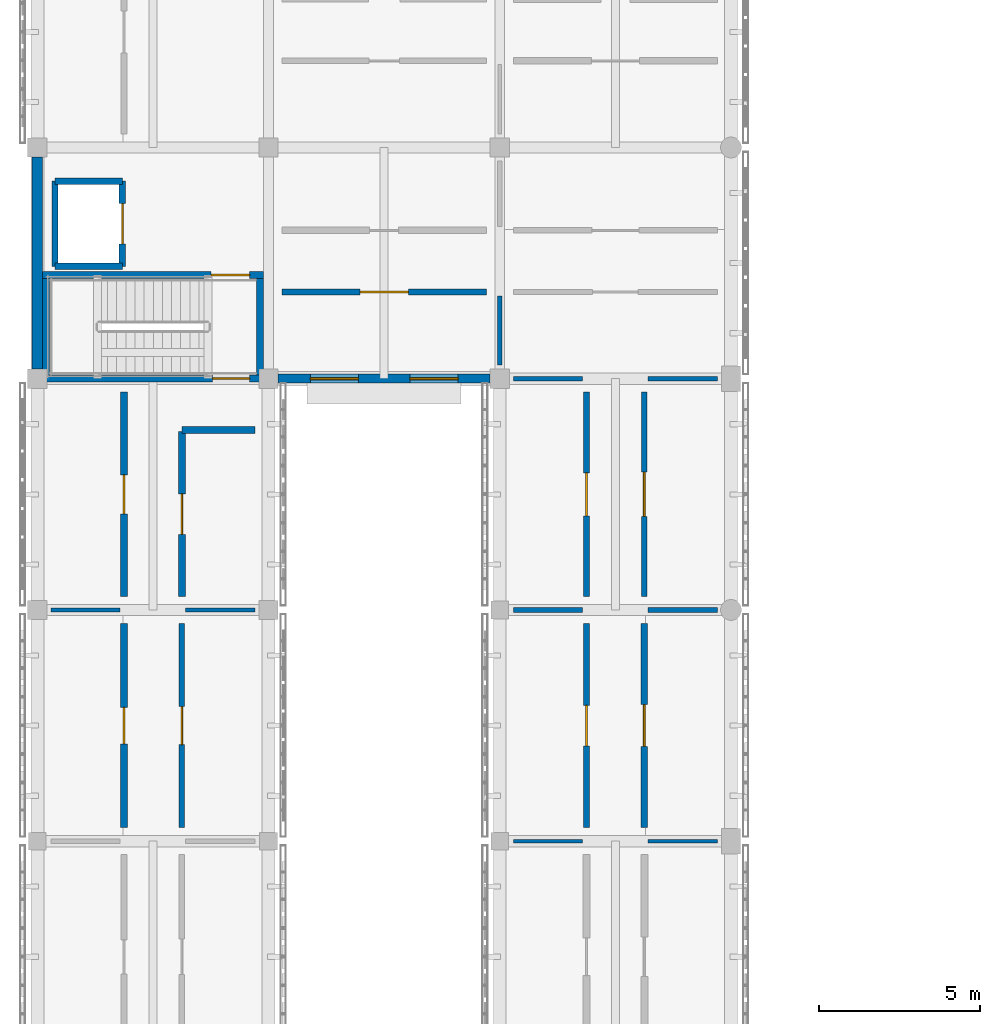
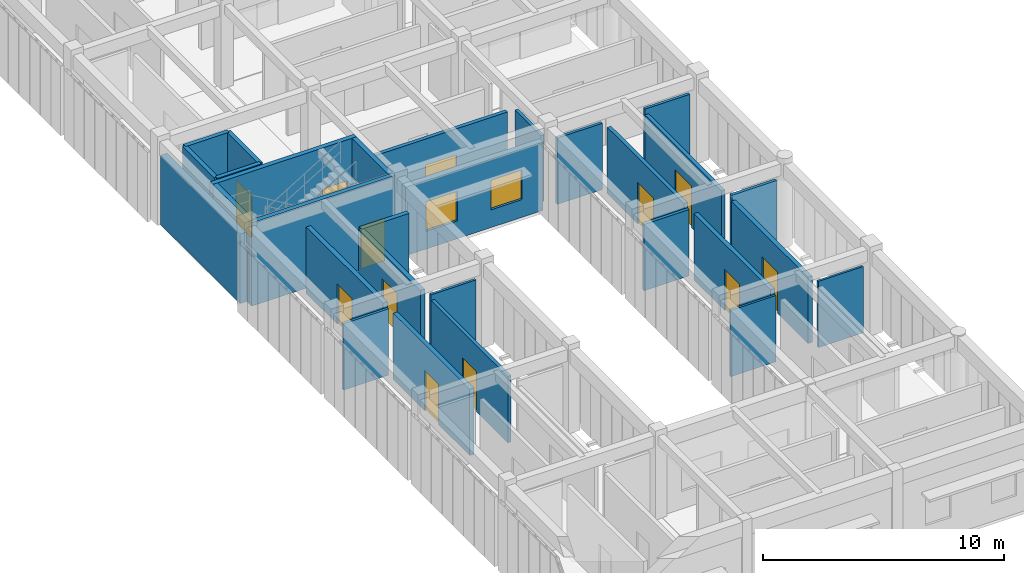
# One storey, part 120 of 171: 29 walls, 12 doors, 2 windows, 14 openings.
"""IFC4 building model written with IfcOpenShell, lengths in metres."""

from ifc_helpers import new_model, si_unit, direction, frame, frame_2d, origin, place, context, subcontext, project, spatial, rectangle, extrude, material, layer, layer_set, type_object, element, fill, save


model = new_model("IFC4")

# Units and contexts
model_context = context("Model", 3, precision=1e-05, world=origin(), true_north=direction((0.0, 1.0)))
body_context = subcontext(model_context, "Body", "Model", "MODEL_VIEW")
ifc_project = project(units=[si_unit("LENGTHUNIT", "METRE"), si_unit("AREAUNIT", "SQUARE_METRE"), si_unit("VOLUMEUNIT", "CUBIC_METRE"), si_unit("PLANEANGLEUNIT", "RADIAN"), si_unit("MASSUNIT", "GRAM", prefix="KILO")], contexts=[model_context])

# Site, building, storey
site_placement = place(None, origin())
site = spatial("IfcSite", under=ifc_project, at=site_placement, CompositionType="ELEMENT")
building_placement = place(site_placement, origin())
building = spatial("IfcBuilding", under=site, at=building_placement, Name="Aldebral Square Health Centre", CompositionType="ELEMENT")
storey_placement = place(building_placement, frame((0.0, 0.0, 4.5)))
storey = spatial("IfcBuildingStorey", under=building, at=storey_placement, Name="L01", CompositionType="ELEMENT", Elevation=4.5)

# Wall, openings, windows
ifc_material_1 = material(Name="Ochre mineral-rendered concrete C35/45 court wall", Category="concrete")
ifc_layer_1 = layer(ifc_material_1, 0.280029296875, Name="Ochre mineral-rendered concrete C35/45 court wall", Category="concrete")
ifc_layer_set_1 = layer_set([ifc_layer_1], Name="Ochre mineral-rendered concrete C35/45 court wall")
wall_type_1 = type_object("IfcWallType", Name="EW-OCH-280", PredefinedType="STANDARD", material=ifc_layer_set_1)
wall_1_placement = place(storey_placement, frame((7.5, 28.800048828125, 0.0), z_axis=(0.0, 0.0, 1.0), x_axis=(1.0, 0.0, 0.0)))
wall_1 = element("IfcWall", 1, at=wall_1_placement, inside=storey, type_object=wall_type_1, Name="L01 V6 exterior wall L01-V6-01-04-S", PredefinedType="STANDARD", context=body_context, shape_type="SweptSolid", body=[
    extrude(rectangle(XDim=6.60009765625, YDim=0.280029296875, at=frame_2d((3.300048828125, 0.0))), origin(), (0.0, 0.0, 1.0), 3.469970703125),
])
opening_1_placement = place(wall_1_placement, frame((1.0, 0.0, 0.89990234375)))
opening_1 = element("IfcOpeningElement", 2, at=opening_1_placement, cuts=wall_1, Name="Opening W23", PredefinedType="OPENING", context=body_context, shape_type="SweptSolid", body=[
    extrude(rectangle(XDim=1.5, YDim=1.5, at=frame_2d((0.75, 0.75))), frame((0.0, 0.14990234375, 0.0), z_axis=(0.0, -1.0, 0.0), x_axis=(1.0, 0.0, 0.0)), (0.0, 0.0, 1.0), 0.300048828125),
])
opening_2_placement = place(wall_1_placement, frame((4.10009765625, 0.0, 0.89990234375)))
opening_2 = element("IfcOpeningElement", 3, at=opening_2_placement, cuts=wall_1, Name="Opening W23", PredefinedType="OPENING", context=body_context, shape_type="SweptSolid", body=[
    extrude(rectangle(XDim=1.5, YDim=1.5, at=frame_2d((0.75, 0.75))), frame((0.0, 0.14990234375, 0.0), z_axis=(0.0, -1.0, 0.0), x_axis=(1.0, 0.0, 0.0)), (0.0, 0.0, 1.0), 0.300048828125),
])
ifc_material_2 = material(Name="Thermally broken aluminium and low-E glass", Category="aluminium")
window_type = type_object("IfcWindowType", Name="WIN-W23", PartitioningType="SINGLE_PANEL", PredefinedType="WINDOW", material=ifc_material_2)
window_1_placement = place(opening_1_placement, origin())
window_1 = element("IfcWindow", 4, at=window_1_placement, inside=storey, type_object=window_type, Name="L01 clinical window L01-V6-01-04-S.1", OverallHeight=1.5, OverallWidth=1.5, PartitioningType="SINGLE_PANEL", PredefinedType="WINDOW", context=body_context, shape_type="SweptSolid", body=[
    extrude(rectangle(XDim=1.5, YDim=1.5, at=frame_2d((0.75, 0.75))), frame((0.0, 0.030029296875, 0.0), z_axis=(0.0, -1.0, 0.0), x_axis=(1.0, 0.0, 0.0)), (0.0, 0.0, 1.0), 0.06005859375),
])
fill(opening_1, window_1)
window_2_placement = place(opening_2_placement, origin())
window_2 = element("IfcWindow", 5, at=window_2_placement, inside=storey, type_object=window_type, Name="L01 clinical window L01-V6-01-04-S.2", OverallHeight=1.5, OverallWidth=1.5, PartitioningType="SINGLE_PANEL", PredefinedType="WINDOW", context=body_context, shape_type="SweptSolid", body=[
    extrude(rectangle(XDim=1.5, YDim=1.5, at=frame_2d((0.75, 0.75))), frame((0.0, 0.030029296875, 0.0), z_axis=(0.0, -1.0, 0.0), x_axis=(1.0, 0.0, 0.0)), (0.0, 0.0, 1.0), 0.06005859375),
])
fill(opening_2, window_2)

# Wall
ifc_material_3 = material(Name="Precast concrete C40/50 insulated panel", Category="concrete")
ifc_layer_2 = layer(ifc_material_3, 0.320068359375, Name="Precast concrete C40/50 insulated panel", Category="concrete")
ifc_layer_set_2 = layer_set([ifc_layer_2], Name="Precast concrete C40/50 insulated panel")
wall_type_2 = type_object("IfcWallType", Name="EW-PRE-320", PredefinedType="STANDARD", material=ifc_layer_set_2)
wall_2_placement = place(storey_placement, frame((0.0, 35.699951171875, 0.0), z_axis=(0.0, 0.0, 1.0), x_axis=(0.0, -1.0, 0.0)))
element("IfcWall", 6, at=wall_2_placement, inside=storey, type_object=wall_type_2, Name="L01 V6 exterior wall L01-V6-00-04-W", PredefinedType="STANDARD", context=body_context, shape_type="SweptSolid", body=[
    extrude(rectangle(XDim=6.599853515625, YDim=0.320068359375, at=frame_2d((3.2998046875, 0.0))), origin(), (0.0, 0.0, 1.0), 3.52001953125),
])

# Wall, opening, door
ifc_material_4 = material(Name="Concrete C35/45 compartment wall", Category="concrete")
ifc_layer_3 = layer(ifc_material_4, 0.199951171875, Name="Concrete C35/45 compartment wall", Category="concrete")
ifc_layer_set_3 = layer_set([ifc_layer_3], Name="Concrete C35/45 compartment wall")
wall_type_3 = type_object("IfcWallType", Name="IW-CMP-200", PredefinedType="SOLIDWALL", material=ifc_layer_set_3)
wall_3_placement = place(storey_placement, frame((17.10009765625, 14.820068359375, 0.0), z_axis=(0.0, 0.0, 1.0), x_axis=(0.0, 1.0, 0.0)))
wall_3 = element("IfcWall", 7, at=wall_3_placement, inside=storey, type_object=wall_type_3, Name="L01 Community Health Library 3.3W corridor wall", PredefinedType="SOLIDWALL", context=body_context, shape_type="SweptSolid", body=[
    extrude(rectangle(XDim=6.35986328125, YDim=0.199951171875, at=frame_2d((3.179931640625, 0.0))), origin(), (0.0, 0.0, 1.0), 3.360107421875),
])
opening_3_placement = place(wall_3_placement, frame((2.550048828125, 0.0, 0.0)))
opening_3 = element("IfcOpeningElement", 8, at=opening_3_placement, cuts=wall_3, Name="Opening D-0385", PredefinedType="OPENING", context=body_context, shape_type="SweptSolid", body=[
    extrude(rectangle(XDim=1.260009765625, YDim=2.090087890625, at=frame_2d((0.6298828125, 1.044921875))), frame((0.0, 0.10986328125, 0.0), z_axis=(0.0, -1.0, 0.0), x_axis=(1.0, 0.0, 0.0)), (0.0, 0.0, 1.0), 0.219970703125),
])
ifc_material_5 = material(Name="Clinical suite fire door")
door_type_1 = type_object("IfcDoorType", Name="ID-EXD-25", OperationType="NOTDEFINED", PredefinedType="DOOR", material=ifc_material_5)
door_1_placement = place(opening_3_placement, origin())
door_1 = element("IfcDoor", 9, at=door_1_placement, inside=storey, type_object=door_type_1, Name="L01 Community Health Library 3.3W door", OperationType="SINGLE_SWING_RIGHT", OverallHeight=2.090087890625, OverallWidth=1.260009765625, PredefinedType="DOOR", context=body_context, shape_type="SweptSolid", body=[
    extrude(rectangle(XDim=1.260009765625, YDim=2.090087890625, at=frame_2d((0.6298828125, 1.044921875))), frame((0.0, 0.02490234375, 0.0), z_axis=(0.0, -1.0, 0.0), x_axis=(1.0, 0.0, 0.0)), (0.0, 0.0, 1.0), 0.050048828125),
])
fill(opening_3, door_1)

ifc_layer_4 = layer(ifc_material_4, 0.219970703125, Name="Concrete C35/45 compartment wall", Category="concrete")
ifc_layer_set_4 = layer_set([ifc_layer_4], Name="Concrete C35/45 compartment wall")
wall_type_4 = type_object("IfcWallType", Name="IW-CMP-220", PredefinedType="SOLIDWALL", material=ifc_layer_set_4)
wall_4_placement = place(storey_placement, frame((2.699951171875, 22.02001953125, 0.0), z_axis=(0.0, 0.0, 1.0), x_axis=(0.0, 1.0, 0.0)))
wall_4 = element("IfcWall", 10, at=wall_4_placement, inside=storey, type_object=wall_type_4, Name="L01 Health Education Seminar 1.4W corridor wall", PredefinedType="SOLIDWALL", context=body_context, shape_type="SweptSolid", body=[
    extrude(rectangle(XDim=6.35986328125, YDim=0.219970703125, at=frame_2d((3.179931640625, 0.0))), origin(), (0.0, 0.0, 1.0), 3.360107421875),
])
opening_4_placement = place(wall_4_placement, frame((2.570068359375, 0.0, 0.0)))
opening_4 = element("IfcOpeningElement", 11, at=opening_4_placement, cuts=wall_4, Name="Opening D-0368", PredefinedType="OPENING", context=body_context, shape_type="SweptSolid", body=[
    extrude(rectangle(XDim=1.219970703125, YDim=2.0400390625, at=frame_2d((0.60986328125, 1.02001953125))), frame((0.0, 0.1201171875, 0.0), z_axis=(0.0, -1.0, 0.0), x_axis=(1.0, 0.0, 0.0)), (0.0, 0.0, 1.0), 0.239990234375),
])
door_type_2 = type_object("IfcDoorType", Name="ID-EXD-08", OperationType="NOTDEFINED", PredefinedType="DOOR", material=ifc_material_5)
door_2_placement = place(opening_4_placement, origin())
door_2 = element("IfcDoor", 12, at=door_2_placement, inside=storey, type_object=door_type_2, Name="L01 Health Education Seminar 1.4W door", OperationType="SINGLE_SWING_LEFT", OverallHeight=2.0400390625, OverallWidth=1.219970703125, PredefinedType="DOOR", context=body_context, shape_type="SweptSolid", body=[
    extrude(rectangle(XDim=1.219970703125, YDim=2.0400390625, at=frame_2d((0.60986328125, 1.02001953125))), frame((0.0, 0.02490234375, 0.0), z_axis=(0.0, -1.0, 0.0), x_axis=(1.0, 0.0, 0.0)), (0.0, 0.0, 1.0), 0.050048828125),
])
fill(opening_4, door_2)

wall_5_placement = place(storey_placement, frame((4.5, 22.02001953125, 0.0), z_axis=(0.0, 0.0, 1.0), x_axis=(0.0, 1.0, 0.0)))
wall_5 = element("IfcWall", 13, at=wall_5_placement, inside=storey, type_object=wall_type_4, Name="L01 Nutrition Studio 1.4E corridor wall", PredefinedType="SOLIDWALL", context=body_context, shape_type="SweptSolid", body=[
    extrude(rectangle(XDim=5.1298828125, YDim=0.219970703125, at=frame_2d((2.56494140625, 0.0))), origin(), (0.0, 0.0, 1.0), 3.360107421875),
])
opening_5_placement = place(wall_5_placement, frame((1.93505859375, 0.0, 0.0)))
opening_5 = element("IfcOpeningElement", 14, at=opening_5_placement, cuts=wall_5, Name="Opening D-0369", PredefinedType="OPENING", context=body_context, shape_type="SweptSolid", body=[
    extrude(rectangle(XDim=1.260009765625, YDim=2.0400390625, at=frame_2d((0.6298828125, 1.02001953125))), frame((0.0, 0.1201171875, 0.0), z_axis=(0.0, -1.0, 0.0), x_axis=(1.0, 0.0, 0.0)), (0.0, 0.0, 1.0), 0.239990234375),
])
door_type_3 = type_object("IfcDoorType", Name="ID-EXD-09", OperationType="NOTDEFINED", PredefinedType="DOOR", material=ifc_material_5)
door_3_placement = place(opening_5_placement, origin())
door_3 = element("IfcDoor", 15, at=door_3_placement, inside=storey, type_object=door_type_3, Name="L01 Nutrition Studio 1.4E door", OperationType="SINGLE_SWING_RIGHT", OverallHeight=2.0400390625, OverallWidth=1.260009765625, PredefinedType="DOOR", context=body_context, shape_type="SweptSolid", body=[
    extrude(rectangle(XDim=1.260009765625, YDim=2.0400390625, at=frame_2d((0.6298828125, 1.02001953125))), frame((0.0, 0.02490234375, 0.0), z_axis=(0.0, -1.0, 0.0), x_axis=(1.0, 0.0, 0.0)), (0.0, 0.0, 1.0), 0.050048828125),
])
fill(opening_5, door_3)

ifc_material_6 = material(Name="Fire-rated acoustic gypsum partition")
ifc_layer_5 = layer(ifc_material_6, 0.1650390625, Name="Fire-rated acoustic gypsum partition")
ifc_layer_set_5 = layer_set([ifc_layer_5], Name="Fire-rated acoustic gypsum partition")
wall_type_5 = type_object("IfcWallType", Name="IW-COR-165", PredefinedType="PARTITIONING", material=ifc_layer_set_5)
wall_6_placement = place(storey_placement, frame((4.5, 14.820068359375, 0.0), z_axis=(0.0, 0.0, 1.0), x_axis=(0.0, 1.0, 0.0)))
wall_6 = element("IfcWall", 16, at=wall_6_placement, inside=storey, type_object=wall_type_5, Name="L01 Community Room 1.3E corridor wall", PredefinedType="PARTITIONING", context=body_context, shape_type="SweptSolid", body=[
    extrude(rectangle(XDim=6.35986328125, YDim=0.1650390625, at=frame_2d((3.179931640625, 0.0))), origin(), (0.0, 0.0, 1.0), 3.360107421875),
])
opening_6_placement = place(wall_6_placement, frame((2.590087890625, 0.0, 0.0)))
opening_6 = element("IfcOpeningElement", 17, at=opening_6_placement, cuts=wall_6, Name="Opening D-0367", PredefinedType="OPENING", context=body_context, shape_type="SweptSolid", body=[
    extrude(rectangle(XDim=1.179931640625, YDim=2.0400390625, at=frame_2d((0.58984375, 1.02001953125))), frame((0.0, 0.092529296875, 0.0), z_axis=(0.0, -1.0, 0.0), x_axis=(1.0, 0.0, 0.0)), (0.0, 0.0, 1.0), 0.18505859375),
])
door_type_4 = type_object("IfcDoorType", Name="ID-EXD-07", OperationType="NOTDEFINED", PredefinedType="DOOR", material=ifc_material_5)
door_4_placement = place(opening_6_placement, origin())
door_4 = element("IfcDoor", 18, at=door_4_placement, inside=storey, type_object=door_type_4, Name="L01 Community Room 1.3E door", OperationType="SINGLE_SWING_RIGHT", OverallHeight=2.0400390625, OverallWidth=1.179931640625, PredefinedType="DOOR", context=body_context, shape_type="SweptSolid", body=[
    extrude(rectangle(XDim=1.179931640625, YDim=2.0400390625, at=frame_2d((0.58984375, 1.02001953125))), frame((0.0, 0.02490234375, 0.0), z_axis=(0.0, -1.0, 0.0), x_axis=(1.0, 0.0, 0.0)), (0.0, 0.0, 1.0), 0.050048828125),
])
fill(opening_6, door_4)

ifc_layer_6 = layer(ifc_material_6, 0.179931640625, Name="Fire-rated acoustic gypsum partition")
ifc_layer_set_6 = layer_set([ifc_layer_6], Name="Fire-rated acoustic gypsum partition")
wall_type_6 = type_object("IfcWallType", Name="IW-COR-180", PredefinedType="PARTITIONING", material=ifc_layer_set_6)
wall_7_placement = place(storey_placement, frame((7.6201171875, 31.5, 0.0), z_axis=(0.0, 0.0, 1.0), x_axis=(1.0, 0.0, 0.0)))
wall_7 = element("IfcWall", 19, at=wall_7_placement, inside=storey, type_object=wall_type_6, Name="L01 Community Health Library 2.5S corridor wall", PredefinedType="PARTITIONING", context=body_context, shape_type="SweptSolid", body=[
    extrude(rectangle(XDim=6.35986328125, YDim=0.179931640625, at=frame_2d((3.179931640625, 0.0))), origin(), (0.0, 0.0, 1.0), 3.360107421875),
])
opening_7_placement = place(wall_7_placement, frame((2.429931640625, 0.0, 0.0)))
opening_7 = element("IfcOpeningElement", 20, at=opening_7_placement, cuts=wall_7, Name="Opening D-0375", PredefinedType="OPENING", context=body_context, shape_type="SweptSolid", body=[
    extrude(rectangle(XDim=1.5, YDim=2.0400390625, at=frame_2d((0.75, 1.02001953125))), frame((0.0, 0.10009765625, 0.0), z_axis=(0.0, -1.0, 0.0), x_axis=(1.0, 0.0, 0.0)), (0.0, 0.0, 1.0), 0.199951171875),
])
door_type_5 = type_object("IfcDoorType", Name="ID-EXD-15", OperationType="NOTDEFINED", PredefinedType="DOOR", material=ifc_material_5)
door_5_placement = place(opening_7_placement, origin())
door_5 = element("IfcDoor", 21, at=door_5_placement, inside=storey, type_object=door_type_5, Name="L01 Community Health Library 2.5S door", OperationType="SINGLE_SWING_RIGHT", OverallHeight=2.0400390625, OverallWidth=1.5, PredefinedType="DOOR", context=body_context, shape_type="SweptSolid", body=[
    extrude(rectangle(XDim=1.5, YDim=2.0400390625, at=frame_2d((0.75, 1.02001953125))), frame((0.0, 0.02490234375, 0.0), z_axis=(0.0, -1.0, 0.0), x_axis=(1.0, 0.0, 0.0)), (0.0, 0.0, 1.0), 0.050048828125),
])
fill(opening_7, door_5)

wall_8_placement = place(storey_placement, frame((17.10009765625, 22.02001953125, 0.0), z_axis=(0.0, 0.0, 1.0), x_axis=(0.0, 1.0, 0.0)))
wall_8 = element("IfcWall", 22, at=wall_8_placement, inside=storey, type_object=wall_type_6, Name="L01 Community Room 3.4W corridor wall", PredefinedType="PARTITIONING", context=body_context, shape_type="SweptSolid", body=[
    extrude(rectangle(XDim=6.35986328125, YDim=0.179931640625, at=frame_2d((3.179931640625, 0.0))), origin(), (0.0, 0.0, 1.0), 3.360107421875),
])
opening_8_placement = place(wall_8_placement, frame((2.510009765625, 0.0, 0.0)))
opening_8 = element("IfcOpeningElement", 23, at=opening_8_placement, cuts=wall_8, Name="Opening D-0387", PredefinedType="OPENING", context=body_context, shape_type="SweptSolid", body=[
    extrude(rectangle(XDim=1.340087890625, YDim=2.090087890625, at=frame_2d((0.669921875, 1.044921875))), frame((0.0, 0.10009765625, 0.0), z_axis=(0.0, -1.0, 0.0), x_axis=(1.0, 0.0, 0.0)), (0.0, 0.0, 1.0), 0.199951171875),
])
door_type_6 = type_object("IfcDoorType", Name="ID-EXD-27", OperationType="NOTDEFINED", PredefinedType="DOOR", material=ifc_material_5)
door_6_placement = place(opening_8_placement, origin())
door_6 = element("IfcDoor", 24, at=door_6_placement, inside=storey, type_object=door_type_6, Name="L01 Community Room 3.4W door", OperationType="SINGLE_SWING_RIGHT", OverallHeight=2.090087890625, OverallWidth=1.340087890625, PredefinedType="DOOR", context=body_context, shape_type="SweptSolid", body=[
    extrude(rectangle(XDim=1.340087890625, YDim=2.090087890625, at=frame_2d((0.669921875, 1.044921875))), frame((0.0, 0.02490234375, 0.0), z_axis=(0.0, -1.0, 0.0), x_axis=(1.0, 0.0, 0.0)), (0.0, 0.0, 1.0), 0.050048828125),
])
fill(opening_8, door_6)

wall_9_placement = place(storey_placement, frame((18.89990234375, 22.02001953125, 0.0), z_axis=(0.0, 0.0, 1.0), x_axis=(0.0, 1.0, 0.0)))
wall_9 = element("IfcWall", 25, at=wall_9_placement, inside=storey, type_object=wall_type_6, Name="L01 Health Education Seminar 3.4E corridor wall", PredefinedType="PARTITIONING", context=body_context, shape_type="SweptSolid", body=[
    extrude(rectangle(XDim=6.35986328125, YDim=0.179931640625, at=frame_2d((3.179931640625, 0.0))), origin(), (0.0, 0.0, 1.0), 3.360107421875),
])
opening_9_placement = place(wall_9_placement, frame((2.489990234375, 0.0, 0.0)))
opening_9 = element("IfcOpeningElement", 26, at=opening_9_placement, cuts=wall_9, Name="Opening D-0388", PredefinedType="OPENING", context=body_context, shape_type="SweptSolid", body=[
    extrude(rectangle(XDim=1.3798828125, YDim=2.090087890625, at=frame_2d((0.68994140625, 1.044921875))), frame((0.0, 0.10009765625, 0.0), z_axis=(0.0, -1.0, 0.0), x_axis=(1.0, 0.0, 0.0)), (0.0, 0.0, 1.0), 0.199951171875),
])
door_type_7 = type_object("IfcDoorType", Name="ID-EXD-28", OperationType="NOTDEFINED", PredefinedType="DOOR", material=ifc_material_5)
door_7_placement = place(opening_9_placement, origin())
door_7 = element("IfcDoor", 27, at=door_7_placement, inside=storey, type_object=door_type_7, Name="L01 Health Education Seminar 3.4E door", OperationType="SINGLE_SWING_LEFT", OverallHeight=2.090087890625, OverallWidth=1.3798828125, PredefinedType="DOOR", context=body_context, shape_type="SweptSolid", body=[
    extrude(rectangle(XDim=1.3798828125, YDim=2.090087890625, at=frame_2d((0.68994140625, 1.044921875))), frame((0.0, 0.02490234375, 0.0), z_axis=(0.0, -1.0, 0.0), x_axis=(1.0, 0.0, 0.0)), (0.0, 0.0, 1.0), 0.050048828125),
])
fill(opening_9, door_7)

ifc_material_7 = material(Name="Concrete C40/50", Category="concrete")
ifc_layer_7 = layer(ifc_material_7, 0.219970703125, Name="Concrete C40/50", Category="concrete")
ifc_layer_set_7 = layer_set([ifc_layer_7], Name="Concrete C40/50")
wall_type_7 = type_object("IfcWallType", Name="IW-CORE-280", PredefinedType="SHEAR", material=ifc_layer_set_7)
wall_10_placement = place(storey_placement, frame((0.159912109375, 28.81005859375, 0.0), z_axis=(0.0, 0.0, 1.0), x_axis=(1.0, 0.0, 0.0)))
wall_10 = element("IfcWall", 28, at=wall_10_placement, inside=storey, type_object=wall_type_7, Name="L01 WC-C5 shaft wall S", PredefinedType="SHEAR", context=body_context, shape_type="SweptSolid", body=[
    extrude(rectangle(XDim=6.880126953125, YDim=0.219970703125, at=frame_2d((3.43994140625, 0.0))), origin(), (0.0, 0.0, 1.0), 4.219970703125),
])
opening_10_placement = place(wall_10_placement, frame((5.300048828125, 0.0, 0.0)))
opening_10 = element("IfcOpeningElement", 29, at=opening_10_placement, cuts=wall_10, Name="Opening D-0057", PredefinedType="OPENING", context=body_context, shape_type="SweptSolid", body=[
    extrude(rectangle(XDim=1.14990234375, YDim=2.14990234375, at=frame_2d((0.574951171875, 1.074951171875))), frame((0.0, 0.1201171875, 0.0), z_axis=(0.0, -1.0, 0.0), x_axis=(1.0, 0.0, 0.0)), (0.0, 0.0, 1.0), 0.239990234375),
])
ifc_material_8 = material(Name="Fire-rated steel lobby stair door", Category="steel")
door_type_8 = type_object("IfcDoorType", Name="ID-ST-115", OperationType="NOTDEFINED", PredefinedType="DOOR", material=ifc_material_8)
door_8_placement = place(opening_10_placement, origin())
door_8 = element("IfcDoor", 30, at=door_8_placement, inside=storey, type_object=door_type_8, Name="L01 ST-05 south lobby fire door", OperationType="SINGLE_SWING_LEFT", OverallHeight=2.14990234375, OverallWidth=1.14990234375, PredefinedType="DOOR", context=body_context, shape_type="SweptSolid", body=[
    extrude(rectangle(XDim=1.14990234375, YDim=2.14990234375, at=frame_2d((0.574951171875, 1.074951171875))), frame((0.0, 0.02490234375, 0.0), z_axis=(0.0, -1.0, 0.0), x_axis=(1.0, 0.0, 0.0)), (0.0, 0.0, 1.0), 0.050048828125),
])
fill(opening_10, door_8)

wall_11_placement = place(storey_placement, frame((0.159912109375, 32.030029296875, 0.0), z_axis=(0.0, 0.0, 1.0), x_axis=(1.0, 0.0, 0.0)))
wall_11 = element("IfcWall", 31, at=wall_11_placement, inside=storey, type_object=wall_type_7, Name="L01 WC-C5 shaft wall N", PredefinedType="SHEAR", context=body_context, shape_type="SweptSolid", body=[
    extrude(rectangle(XDim=6.880126953125, YDim=0.219970703125, at=frame_2d((3.43994140625, 0.0))), origin(), (0.0, 0.0, 1.0), 4.219970703125),
])
opening_11_placement = place(wall_11_placement, frame((5.25, 0.0, 0.0)))
opening_11 = element("IfcOpeningElement", 32, at=opening_11_placement, cuts=wall_11, Name="Opening D-0056", PredefinedType="OPENING", context=body_context, shape_type="SweptSolid", body=[
    extrude(rectangle(XDim=1.199951171875, YDim=2.14990234375, at=frame_2d((0.60009765625, 1.074951171875))), frame((0.0, 0.1201171875, 0.0), z_axis=(0.0, -1.0, 0.0), x_axis=(1.0, 0.0, 0.0)), (0.0, 0.0, 1.0), 0.239990234375),
])
ifc_material_9 = material(Name="Fire-rated steel stair door", Category="steel")
door_type_9 = type_object("IfcDoorType", Name="ID-ST-120", OperationType="NOTDEFINED", PredefinedType="DOOR", material=ifc_material_9)
door_9_placement = place(opening_11_placement, origin())
door_9 = element("IfcDoor", 33, at=door_9_placement, inside=storey, type_object=door_type_9, Name="L01 ST-05 fire door", OperationType="SINGLE_SWING_LEFT", OverallHeight=2.14990234375, OverallWidth=1.199951171875, PredefinedType="DOOR", context=body_context, shape_type="SweptSolid", body=[
    extrude(rectangle(XDim=1.199951171875, YDim=2.14990234375, at=frame_2d((0.60009765625, 1.074951171875))), frame((0.0, 0.02490234375, 0.0), z_axis=(0.0, -1.0, 0.0), x_axis=(1.0, 0.0, 0.0)), (0.0, 0.0, 1.0), 0.050048828125),
])
fill(opening_11, door_9)

# Walls
for number, where, z_axis, x_axis, name in (
    (34, (0.27001953125, 28.919921875, 0.0), (0.0, 0.0, 1.0), (0.0, 1.0, 0.0), "L01 WC-C5 shaft wall W"),
    (35, (6.929931640625, 28.919921875, 0.0), (0.0, 0.0, 1.0), (0.0, 1.0, 0.0), "L01 WC-C5 shaft wall E"),
):
    element("IfcWall", number, at=place(storey_placement, frame(where, z_axis=z_axis, x_axis=x_axis)), inside=storey, type_object=wall_type_7, Name=name, PredefinedType="SHEAR", context=body_context, shape_type="SweptSolid", body=[
        extrude(rectangle(XDim=3.0, YDim=0.219970703125, at=frame_2d((1.5, 0.0))), origin(), (0.0, 0.0, 1.0), 4.219970703125),
    ])
ifc_layer_8 = layer(ifc_material_7, 0.199951171875, Name="Concrete C40/50", Category="concrete")
ifc_layer_set_8 = layer_set([ifc_layer_8], Name="Concrete C40/50")
wall_type_8 = type_object("IfcWallType", Name="IW-LFT-250", PredefinedType="SHEAR", material=ifc_layer_set_8)
wall_12_placement = place(storey_placement, frame((0.550048828125, 32.300048828125, 0.0), z_axis=(0.0, 0.0, 1.0), x_axis=(1.0, 0.0, 0.0)))
element("IfcWall", 36, at=wall_12_placement, inside=storey, type_object=wall_type_8, Name="L01 LF-05 shaft wall S", PredefinedType="SHEAR", context=body_context, shape_type="SweptSolid", body=[
    extrude(rectangle(XDim=2.099853515625, YDim=0.199951171875, at=frame_2d((1.0498046875, 0.0))), origin(), (0.0, 0.0, 1.0), 4.219970703125),
])
wall_13_placement = place(storey_placement, frame((0.550048828125, 32.300048828125, 0.0), z_axis=(0.0, 0.0, 1.0), x_axis=(0.0, 1.0, 0.0)))
element("IfcWall", 37, at=wall_13_placement, inside=storey, type_object=wall_type_8, Name="L01 LF-05 shaft wall W", PredefinedType="SHEAR", context=body_context, shape_type="SweptSolid", body=[
    extrude(rectangle(XDim=2.64990234375, YDim=0.199951171875, at=frame_2d((1.324951171875, 0.0))), origin(), (0.0, 0.0, 1.0), 4.219970703125),
])
wall_14_placement = place(storey_placement, frame((0.550048828125, 34.949951171875, 0.0), z_axis=(0.0, 0.0, 1.0), x_axis=(1.0, 0.0, 0.0)))
element("IfcWall", 38, at=wall_14_placement, inside=storey, type_object=wall_type_8, Name="L01 LF-05 shaft wall N", PredefinedType="SHEAR", context=body_context, shape_type="SweptSolid", body=[
    extrude(rectangle(XDim=2.099853515625, YDim=0.199951171875, at=frame_2d((1.0498046875, 0.0))), origin(), (0.0, 0.0, 1.0), 4.219970703125),
])

# Wall, opening, door
wall_15_placement = place(storey_placement, frame((2.64990234375, 32.300048828125, 0.0), z_axis=(0.0, 0.0, 1.0), x_axis=(0.0, 1.0, 0.0)))
wall_15 = element("IfcWall", 39, at=wall_15_placement, inside=storey, type_object=wall_type_8, Name="L01 LF-05 landing wall", PredefinedType="SHEAR", context=body_context, shape_type="SweptSolid", body=[
    extrude(rectangle(XDim=2.64990234375, YDim=0.199951171875, at=frame_2d((1.324951171875, 0.0))), origin(), (0.0, 0.0, 1.0), 4.219970703125),
])
opening_12_placement = place(wall_15_placement, frame((0.699951171875, 0.0, 0.0)))
opening_12 = element("IfcOpeningElement", 40, at=opening_12_placement, cuts=wall_15, Name="Opening D-0058", PredefinedType="OPENING", context=body_context, shape_type="SweptSolid", body=[
    extrude(rectangle(XDim=1.25, YDim=2.14990234375, at=frame_2d((0.625, 1.074951171875))), frame((0.0, 0.10986328125, 0.0), z_axis=(0.0, -1.0, 0.0), x_axis=(1.0, 0.0, 0.0)), (0.0, 0.0, 1.0), 0.219970703125),
])
ifc_material_10 = material(Name="Stainless steel surgical lift landing door", Category="steel")
door_type_10 = type_object("IfcDoorType", Name="ID-LD-125", OperationType="SLIDING_TO_LEFT", PredefinedType="DOOR", material=ifc_material_10)
door_10_placement = place(opening_12_placement, origin())
door_10 = element("IfcDoor", 41, at=door_10_placement, inside=storey, type_object=door_type_10, Name="L01 LF-05 sliding landing door", OperationType="SLIDING_TO_LEFT", OverallHeight=2.14990234375, OverallWidth=1.25, PredefinedType="DOOR", context=body_context, shape_type="SweptSolid", body=[
    extrude(rectangle(XDim=1.25, YDim=2.14990234375, at=frame_2d((0.625, 1.074951171875))), frame((0.0, 0.02490234375, 0.0), z_axis=(0.0, -1.0, 0.0), x_axis=(1.0, 0.0, 0.0)), (0.0, 0.0, 1.0), 0.050048828125),
])
fill(opening_12, door_10)

ifc_material_11 = material(Name="Moisture-resistant sanitary chase wall")
ifc_layer_9 = layer(ifc_material_11, 0.2099609375, Name="Moisture-resistant sanitary chase wall")
ifc_layer_set_9 = layer_set([ifc_layer_9], Name="Moisture-resistant sanitary chase wall")
wall_type_9 = type_object("IfcWallType", Name="IW-PLB-210", PredefinedType="PLUMBINGWALL", material=ifc_layer_set_9)
wall_16_placement = place(storey_placement, frame((2.699951171875, 14.820068359375, 0.0), z_axis=(0.0, 0.0, 1.0), x_axis=(0.0, 1.0, 0.0)))
wall_16 = element("IfcWall", 42, at=wall_16_placement, inside=storey, type_object=wall_type_9, Name="L01 Accessible WC 1.3W corridor wall", PredefinedType="PLUMBINGWALL", context=body_context, shape_type="SweptSolid", body=[
    extrude(rectangle(XDim=6.35986328125, YDim=0.2099609375, at=frame_2d((3.179931640625, 0.0))), origin(), (0.0, 0.0, 1.0), 3.360107421875),
])
opening_13_placement = place(wall_16_placement, frame((2.610107421875, 0.0, 0.0)))
opening_13 = element("IfcOpeningElement", 43, at=opening_13_placement, cuts=wall_16, Name="Opening D-0366", PredefinedType="OPENING", context=body_context, shape_type="SweptSolid", body=[
    extrude(rectangle(XDim=1.139892578125, YDim=2.0400390625, at=frame_2d((0.56982421875, 1.02001953125))), frame((0.0, 0.114990234375, 0.0), z_axis=(0.0, -1.0, 0.0), x_axis=(1.0, 0.0, 0.0)), (0.0, 0.0, 1.0), 0.22998046875),
])
door_type_11 = type_object("IfcDoorType", Name="ID-EXD-06", OperationType="NOTDEFINED", PredefinedType="DOOR", material=ifc_material_5)
door_11_placement = place(opening_13_placement, origin())
door_11 = element("IfcDoor", 44, at=door_11_placement, inside=storey, type_object=door_type_11, Name="L01 Accessible WC 1.3W door", OperationType="SINGLE_SWING_LEFT", OverallHeight=2.0400390625, OverallWidth=1.139892578125, PredefinedType="DOOR", context=body_context, shape_type="SweptSolid", body=[
    extrude(rectangle(XDim=1.139892578125, YDim=2.0400390625, at=frame_2d((0.56982421875, 1.02001953125))), frame((0.0, 0.02490234375, 0.0), z_axis=(0.0, -1.0, 0.0), x_axis=(1.0, 0.0, 0.0)), (0.0, 0.0, 1.0), 0.050048828125),
])
fill(opening_13, door_11)

# Wall
wall_17_placement = place(storey_placement, frame((4.5, 27.199951171875, 0.0), z_axis=(0.0, 0.0, 1.0), x_axis=(1.0, 0.0, 0.0)))
element("IfcWall", 45, at=wall_17_placement, inside=storey, type_object=wall_type_9, Name="L01 Nutrition Studio 1.4E lobby return wall", PredefinedType="PLUMBINGWALL", context=body_context, shape_type="SweptSolid", body=[
    extrude(rectangle(XDim=2.280029296875, YDim=0.2099609375, at=frame_2d((1.14013671875, 0.0))), origin(), (0.0, 0.0, 1.0), 3.360107421875),
])

# Wall, opening, door
wall_18_placement = place(storey_placement, frame((18.89990234375, 14.820068359375, 0.0), z_axis=(0.0, 0.0, 1.0), x_axis=(0.0, 1.0, 0.0)))
wall_18 = element("IfcWall", 46, at=wall_18_placement, inside=storey, type_object=wall_type_9, Name="L01 Accessible WC 3.3E corridor wall", PredefinedType="PLUMBINGWALL", context=body_context, shape_type="SweptSolid", body=[
    extrude(rectangle(XDim=6.35986328125, YDim=0.2099609375, at=frame_2d((3.179931640625, 0.0))), origin(), (0.0, 0.0, 1.0), 3.360107421875),
])
opening_14_placement = place(wall_18_placement, frame((2.530029296875, 0.0, 0.0)))
opening_14 = element("IfcOpeningElement", 47, at=opening_14_placement, cuts=wall_18, Name="Opening D-0386", PredefinedType="OPENING", context=body_context, shape_type="SweptSolid", body=[
    extrude(rectangle(XDim=1.300048828125, YDim=2.090087890625, at=frame_2d((0.64990234375, 1.044921875))), frame((0.0, 0.114990234375, 0.0), z_axis=(0.0, -1.0, 0.0), x_axis=(1.0, 0.0, 0.0)), (0.0, 0.0, 1.0), 0.22998046875),
])
door_type_12 = type_object("IfcDoorType", Name="ID-EXD-26", OperationType="NOTDEFINED", PredefinedType="DOOR", material=ifc_material_5)
door_12_placement = place(opening_14_placement, origin())
door_12 = element("IfcDoor", 48, at=door_12_placement, inside=storey, type_object=door_type_12, Name="L01 Accessible WC 3.3E door", OperationType="SINGLE_SWING_LEFT", OverallHeight=2.090087890625, OverallWidth=1.300048828125, PredefinedType="DOOR", context=body_context, shape_type="SweptSolid", body=[
    extrude(rectangle(XDim=1.300048828125, YDim=2.090087890625, at=frame_2d((0.64990234375, 1.044921875))), frame((0.0, 0.02490234375, 0.0), z_axis=(0.0, -1.0, 0.0), x_axis=(1.0, 0.0, 0.0)), (0.0, 0.0, 1.0), 0.050048828125),
])
fill(opening_14, door_12)

# Walls
ifc_material_12 = material(Name="Lightweight clinical partition")
ifc_layer_10 = layer(ifc_material_12, 0.10498046875, Name="Lightweight clinical partition")
ifc_layer_set_10 = layer_set([ifc_layer_10], Name="Lightweight clinical partition")
wall_type_10 = type_object("IfcWallType", Name="IW-PRT-105", PredefinedType="PARTITIONING", material=ifc_layer_set_10)
for number, where, z_axis, x_axis, name in (
    (49, (14.820068359375, 14.39990234375, 0.0), (0.0, 0.0, 1.0), (1.0, 0.0, 0.0), "L01 Health Education Seminar 3.2W demising partition"),
    (50, (19.02001953125, 14.39990234375, 0.0), (0.0, 0.0, 1.0), (1.0, 0.0, 0.0), "L01 Nutrition Studio 3.2E demising partition"),
):
    element("IfcWall", number, at=place(storey_placement, frame(where, z_axis=z_axis, x_axis=x_axis)), inside=storey, type_object=wall_type_10, Name=name, PredefinedType="PARTITIONING", context=body_context, shape_type="SweptSolid", body=[
        extrude(rectangle(XDim=2.159912109375, YDim=0.10498046875, at=frame_2d((1.080078125, 0.0))), origin(), (0.0, 0.0, 1.0), 3.360107421875),
    ])
ifc_material_13 = material(Name="Acoustic clinical gypsum partition")
ifc_layer_11 = layer(ifc_material_13, 0.1201171875, Name="Acoustic clinical gypsum partition")
ifc_layer_set_11 = layer_set([ifc_layer_11], Name="Acoustic clinical gypsum partition")
wall_type_11 = type_object("IfcWallType", Name="IW-PRT-120", PredefinedType="PARTITIONING", material=ifc_layer_set_11)
wall_19_placement = place(storey_placement, frame((0.419921875, 21.60009765625, 0.0), z_axis=(0.0, 0.0, 1.0), x_axis=(1.0, 0.0, 0.0)))
element("IfcWall", 51, at=wall_19_placement, inside=storey, type_object=wall_type_11, Name="L01 Accessible WC 1.3W demising partition", PredefinedType="PARTITIONING", context=body_context, shape_type="SweptSolid", body=[
    extrude(rectangle(XDim=2.16015625, YDim=0.1201171875, at=frame_2d((1.080078125, 0.0))), origin(), (0.0, 0.0, 1.0), 3.360107421875),
])
wall_20_placement = place(storey_placement, frame((4.6201171875, 21.60009765625, 0.0), z_axis=(0.0, 0.0, 1.0), x_axis=(1.0, 0.0, 0.0)))
element("IfcWall", 52, at=wall_20_placement, inside=storey, type_object=wall_type_11, Name="L01 Community Room 1.3E demising partition", PredefinedType="PARTITIONING", context=body_context, shape_type="SweptSolid", body=[
    extrude(rectangle(XDim=2.159912109375, YDim=0.1201171875, at=frame_2d((1.080078125, 0.0))), origin(), (0.0, 0.0, 1.0), 3.360107421875),
])
ifc_layer_12 = layer(ifc_material_13, 0.135009765625, Name="Acoustic clinical gypsum partition")
ifc_layer_set_12 = layer_set([ifc_layer_12], Name="Acoustic clinical gypsum partition")
wall_type_12 = type_object("IfcWallType", Name="IW-PRT-135", PredefinedType="PARTITIONING", material=ifc_layer_set_12)
for number, where, z_axis, x_axis, name in (
    (53, (14.39990234375, 29.219970703125, 0.0), (0.0, 0.0, 1.0), (0.0, 1.0, 0.0), "L01 Community Health Library 2.5S demising partition"),
    (54, (14.820068359375, 28.800048828125, 0.0), (0.0, 0.0, 1.0), (1.0, 0.0, 0.0), "L01 Community Room 3.4W demising partition"),
    (55, (19.02001953125, 28.800048828125, 0.0), (0.0, 0.0, 1.0), (1.0, 0.0, 0.0), "L01 Health Education Seminar 3.4E demising partition"),
):
    element("IfcWall", number, at=place(storey_placement, frame(where, z_axis=z_axis, x_axis=x_axis)), inside=storey, type_object=wall_type_12, Name=name, PredefinedType="PARTITIONING", context=body_context, shape_type="SweptSolid", body=[
        extrude(rectangle(XDim=2.159912109375, YDim=0.135009765625, at=frame_2d((1.080078125, 0.0))), origin(), (0.0, 0.0, 1.0), 3.360107421875),
    ])
ifc_layer_13 = layer(ifc_material_13, 0.14990234375, Name="Acoustic clinical gypsum partition")
ifc_layer_set_13 = layer_set([ifc_layer_13], Name="Acoustic clinical gypsum partition")
wall_type_13 = type_object("IfcWallType", Name="IW-PRT-150", PredefinedType="PARTITIONING", material=ifc_layer_set_13)
for number, where, z_axis, x_axis, name in (
    (56, (14.820068359375, 21.60009765625, 0.0), (0.0, 0.0, 1.0), (1.0, 0.0, 0.0), "L01 Community Health Library 3.3W demising partition"),
    (57, (19.02001953125, 21.60009765625, 0.0), (0.0, 0.0, 1.0), (1.0, 0.0, 0.0), "L01 Accessible WC 3.3E demising partition"),
):
    element("IfcWall", number, at=place(storey_placement, frame(where, z_axis=z_axis, x_axis=x_axis)), inside=storey, type_object=wall_type_13, Name=name, PredefinedType="PARTITIONING", context=body_context, shape_type="SweptSolid", body=[
        extrude(rectangle(XDim=2.159912109375, YDim=0.14990234375, at=frame_2d((1.080078125, 0.0))), origin(), (0.0, 0.0, 1.0), 3.360107421875),
    ])

save(model, "model.ifc")
